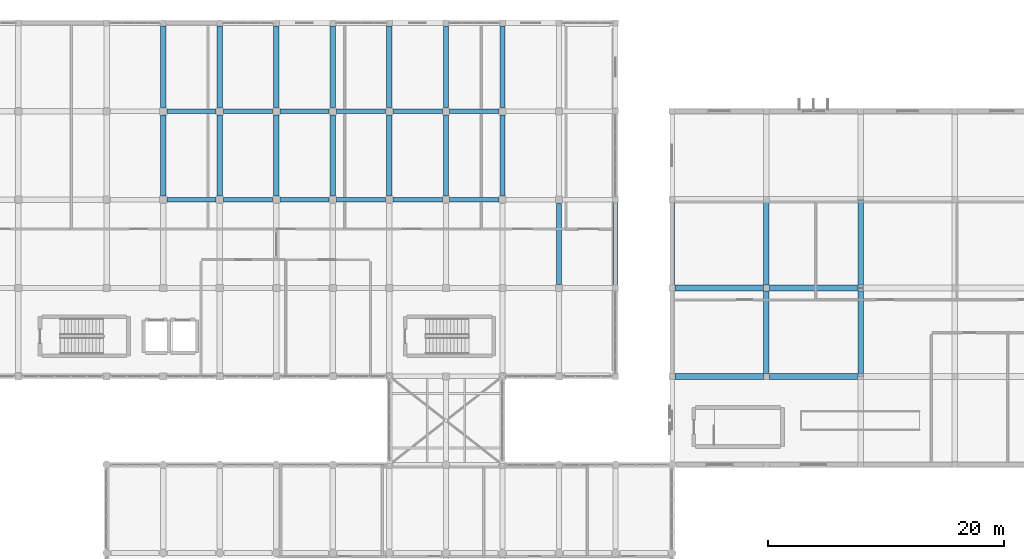
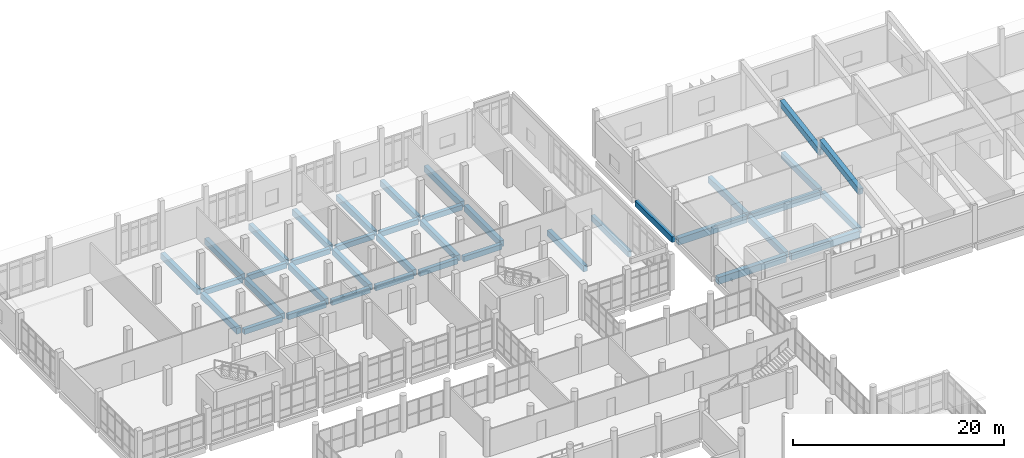
# One storey, part 99 of 164: 39 beams.
"""IFC4 building model written with IfcOpenShell, lengths in metres."""

from ifc_helpers import new_model, si_unit, direction, frame, origin, origin_2d, place, context, subcontext, project, spatial, rectangle, extrude, material, material_profile, profile_set, type_object, element, save


model = new_model("IFC4")

# Units and contexts
model_context = context("Model", 3, precision=1e-05, world=origin(), true_north=direction((0.0, 1.0)))
body_context = subcontext(model_context, "Body", "Model", "MODEL_VIEW")
ifc_project = project(units=[si_unit("LENGTHUNIT", "METRE"), si_unit("AREAUNIT", "SQUARE_METRE"), si_unit("VOLUMEUNIT", "CUBIC_METRE"), si_unit("PLANEANGLEUNIT", "RADIAN"), si_unit("MASSUNIT", "GRAM", prefix="KILO")], contexts=[model_context])

# Site, building, storey
site_placement = place(None, origin())
site = spatial("IfcSite", under=ifc_project, at=site_placement, CompositionType="ELEMENT")
building_placement = place(site_placement, origin())
building = spatial("IfcBuilding", under=site, at=building_placement, Name="Mawjan Specialist Oncology Clinic", CompositionType="ELEMENT")
storey_placement = place(building_placement, frame((0.0, 0.0, 5.0)))
storey = spatial("IfcBuildingStorey", under=building, at=storey_placement, Name="L01", CompositionType="ELEMENT", Elevation=5.0)

# Beams
ifc_material_1 = material(Name="Concrete C40/50", Category="concrete")
ifc_material_profile_1 = material_profile(ifc_material_1, rectangle(XDim=0.39990234375, YDim=0.60009765625, at=origin_2d()), Name="RC BM 400x600", Category="concrete")
ifc_profile_set_1 = profile_set([ifc_material_profile_1], Name="Concrete C40/50")
beam_type_1 = type_object("IfcBeamType", Name="BM-400x600", PredefinedType="BEAM", material=ifc_profile_set_1)
beam_1_placement = place(storey_placement, frame((65.110107421875, 98.300048828125, -0.60009765625), z_axis=(1.0, 0.0, 0.0), x_axis=(0.0, 1.0, 0.0)))
element("IfcBeam", 1, at=beam_1_placement, inside=storey, type_object=beam_type_1, Name="L01 Collector Beam BM-L01-0378", PredefinedType="BEAM", context=body_context, shape_type="SweptSolid", body=[
    extrude(rectangle(XDim=0.39990234375, YDim=0.60009765625, at=origin_2d()), origin(), (0.0, 0.0, 1.0), 4.179931640625),
])
beam_2_placement = place(storey_placement, frame((69.909912109375, 98.300048828125, -0.60009765625), z_axis=(1.0, 0.0, 0.0), x_axis=(0.0, 1.0, 0.0)))
element("IfcBeam", 2, at=beam_2_placement, inside=storey, type_object=beam_type_1, Name="L01 Collector Beam BM-L01-0379", PredefinedType="BEAM", context=body_context, shape_type="SweptSolid", body=[
    extrude(rectangle(XDim=0.39990234375, YDim=0.60009765625, at=origin_2d()), origin(), (0.0, 0.0, 1.0), 4.18017578125),
])
for number, where, z_axis, x_axis, name in (
    (3, (74.7099609375, 98.300048828125, -0.60009765625), (1.0, 0.0, 0.0), (0.0, 1.0, 0.0), "L01 Collector Beam BM-L01-0380"),
    (4, (79.510009765625, 98.300048828125, -0.60009765625), (1.0, 0.0, 0.0), (0.0, 1.0, 0.0), "L01 Collector Beam BM-L01-0381"),
    (5, (84.31005859375, 98.300048828125, -0.60009765625), (1.0, 0.0, 0.0), (0.0, 1.0, 0.0), "L01 Collector Beam BM-L01-0382"),
    (6, (89.110107421875, 98.300048828125, -0.60009765625), (1.0, 0.0, 0.0), (0.0, 1.0, 0.0), "L01 Collector Beam BM-L01-0383"),
    (7, (65.110107421875, 105.800048828125, -0.60009765625), (1.0, 0.0, 0.0), (0.0, 1.0, 0.0), "L01 Collector Beam BM-L01-0395"),
):
    element("IfcBeam", number, at=place(storey_placement, frame(where, z_axis=z_axis, x_axis=x_axis)), inside=storey, type_object=beam_type_1, Name=name, PredefinedType="BEAM", context=body_context, shape_type="SweptSolid", body=[
        extrude(rectangle(XDim=0.39990234375, YDim=0.60009765625, at=origin_2d()), origin(), (0.0, 0.0, 1.0), 4.179931640625),
    ])
beam_3_placement = place(storey_placement, frame((69.909912109375, 105.800048828125, -0.60009765625), z_axis=(1.0, 0.0, 0.0), x_axis=(0.0, 1.0, 0.0)))
element("IfcBeam", 8, at=beam_3_placement, inside=storey, type_object=beam_type_1, Name="L01 Collector Beam BM-L01-0396", PredefinedType="BEAM", context=body_context, shape_type="SweptSolid", body=[
    extrude(rectangle(XDim=0.39990234375, YDim=0.60009765625, at=origin_2d()), origin(), (0.0, 0.0, 1.0), 4.18017578125),
])
for number, where, z_axis, x_axis, name in (
    (9, (74.7099609375, 105.800048828125, -0.60009765625), (1.0, 0.0, 0.0), (0.0, 1.0, 0.0), "L01 Collector Beam BM-L01-0397"),
    (10, (79.510009765625, 105.800048828125, -0.60009765625), (1.0, 0.0, 0.0), (0.0, 1.0, 0.0), "L01 Collector Beam BM-L01-0398"),
    (11, (84.31005859375, 105.800048828125, -0.60009765625), (1.0, 0.0, 0.0), (0.0, 1.0, 0.0), "L01 Collector Beam BM-L01-0399"),
    (12, (89.110107421875, 105.800048828125, -0.60009765625), (1.0, 0.0, 0.0), (0.0, 1.0, 0.0), "L01 Collector Beam BM-L01-0400"),
):
    element("IfcBeam", number, at=place(storey_placement, frame(where, z_axis=z_axis, x_axis=x_axis)), inside=storey, type_object=beam_type_1, Name=name, PredefinedType="BEAM", context=body_context, shape_type="SweptSolid", body=[
        extrude(rectangle(XDim=0.39990234375, YDim=0.60009765625, at=origin_2d()), origin(), (0.0, 0.0, 1.0), 4.179931640625),
    ])
ifc_material_2 = material(Name="Concrete C40/50", Category="concrete")
ifc_material_profile_2 = material_profile(ifc_material_2, rectangle(XDim=0.449951171875, YDim=0.699951171875, at=origin_2d()), Name="RC BM 450x700", Category="concrete")
ifc_profile_set_2 = profile_set([ifc_material_profile_2], Name="Concrete C40/50")
beam_type_2 = type_object("IfcBeamType", Name="BM-450x700", PredefinedType="BEAM", material=ifc_profile_set_2)
beam_4_placement = place(storey_placement, frame((64.800048828125, 98.610107421875, -0.64990234375), z_axis=(0.0, 1.0, 0.0), x_axis=(-1.0, 0.0, 0.0)))
element("IfcBeam", 13, at=beam_4_placement, inside=storey, type_object=beam_type_2, Name="L01 Collector Beam BM-L01-0499", PredefinedType="BEAM", context=body_context, shape_type="SweptSolid", body=[
    extrude(rectangle(XDim=0.449951171875, YDim=0.699951171875, at=origin_2d()), origin(), (0.0, 0.0, 1.0), 6.8798828125),
])
beam_5_placement = place(storey_placement, frame((64.800048828125, 106.110107421875, -0.64990234375), z_axis=(0.0, 1.0, 0.0), x_axis=(-1.0, 0.0, 0.0)))
element("IfcBeam", 14, at=beam_5_placement, inside=storey, type_object=beam_type_2, Name="L01 Collector Beam BM-L01-0500", PredefinedType="BEAM", context=body_context, shape_type="SweptSolid", body=[
    extrude(rectangle(XDim=0.449951171875, YDim=0.699951171875, at=origin_2d()), origin(), (0.0, 0.0, 1.0), 6.929931640625),
])
beam_6_placement = place(storey_placement, frame((69.60009765625, 98.610107421875, -0.64990234375), z_axis=(0.0, 1.0, 0.0), x_axis=(-1.0, 0.0, 0.0)))
element("IfcBeam", 15, at=beam_6_placement, inside=storey, type_object=beam_type_2, Name="L01 Collector Beam BM-L01-0506", PredefinedType="BEAM", context=body_context, shape_type="SweptSolid", body=[
    extrude(rectangle(XDim=0.449951171875, YDim=0.699951171875, at=origin_2d()), origin(), (0.0, 0.0, 1.0), 6.8798828125),
])
beam_7_placement = place(storey_placement, frame((69.60009765625, 106.110107421875, -0.64990234375), z_axis=(0.0, 1.0, 0.0), x_axis=(-1.0, 0.0, 0.0)))
element("IfcBeam", 16, at=beam_7_placement, inside=storey, type_object=beam_type_2, Name="L01 Collector Beam BM-L01-0507", PredefinedType="BEAM", context=body_context, shape_type="SweptSolid", body=[
    extrude(rectangle(XDim=0.449951171875, YDim=0.699951171875, at=origin_2d()), origin(), (0.0, 0.0, 1.0), 6.929931640625),
])
beam_8_placement = place(storey_placement, frame((74.39990234375, 98.610107421875, -0.64990234375), z_axis=(0.0, 1.0, 0.0), x_axis=(-1.0, 0.0, 0.0)))
element("IfcBeam", 17, at=beam_8_placement, inside=storey, type_object=beam_type_2, Name="L01 Collector Beam BM-L01-0512", PredefinedType="BEAM", context=body_context, shape_type="SweptSolid", body=[
    extrude(rectangle(XDim=0.449951171875, YDim=0.699951171875, at=origin_2d()), origin(), (0.0, 0.0, 1.0), 6.8798828125),
])
beam_9_placement = place(storey_placement, frame((74.39990234375, 106.110107421875, -0.64990234375), z_axis=(0.0, 1.0, 0.0), x_axis=(-1.0, 0.0, 0.0)))
element("IfcBeam", 18, at=beam_9_placement, inside=storey, type_object=beam_type_2, Name="L01 Collector Beam BM-L01-0513", PredefinedType="BEAM", context=body_context, shape_type="SweptSolid", body=[
    extrude(rectangle(XDim=0.449951171875, YDim=0.699951171875, at=origin_2d()), origin(), (0.0, 0.0, 1.0), 6.929931640625),
])
beam_10_placement = place(storey_placement, frame((79.199951171875, 98.610107421875, -0.64990234375), z_axis=(0.0, 1.0, 0.0), x_axis=(-1.0, 0.0, 0.0)))
element("IfcBeam", 19, at=beam_10_placement, inside=storey, type_object=beam_type_2, Name="L01 Collector Beam BM-L01-0518", PredefinedType="BEAM", context=body_context, shape_type="SweptSolid", body=[
    extrude(rectangle(XDim=0.449951171875, YDim=0.699951171875, at=origin_2d()), origin(), (0.0, 0.0, 1.0), 6.8798828125),
])
beam_11_placement = place(storey_placement, frame((79.199951171875, 106.110107421875, -0.64990234375), z_axis=(0.0, 1.0, 0.0), x_axis=(-1.0, 0.0, 0.0)))
element("IfcBeam", 20, at=beam_11_placement, inside=storey, type_object=beam_type_2, Name="L01 Collector Beam BM-L01-0519", PredefinedType="BEAM", context=body_context, shape_type="SweptSolid", body=[
    extrude(rectangle(XDim=0.449951171875, YDim=0.699951171875, at=origin_2d()), origin(), (0.0, 0.0, 1.0), 6.929931640625),
])
beam_12_placement = place(storey_placement, frame((84.0, 98.610107421875, -0.64990234375), z_axis=(0.0, 1.0, 0.0), x_axis=(-1.0, 0.0, 0.0)))
element("IfcBeam", 21, at=beam_12_placement, inside=storey, type_object=beam_type_2, Name="L01 Collector Beam BM-L01-0525", PredefinedType="BEAM", context=body_context, shape_type="SweptSolid", body=[
    extrude(rectangle(XDim=0.449951171875, YDim=0.699951171875, at=origin_2d()), origin(), (0.0, 0.0, 1.0), 6.8798828125),
])
beam_13_placement = place(storey_placement, frame((84.0, 106.110107421875, -0.64990234375), z_axis=(0.0, 1.0, 0.0), x_axis=(-1.0, 0.0, 0.0)))
element("IfcBeam", 22, at=beam_13_placement, inside=storey, type_object=beam_type_2, Name="L01 Collector Beam BM-L01-0526", PredefinedType="BEAM", context=body_context, shape_type="SweptSolid", body=[
    extrude(rectangle(XDim=0.449951171875, YDim=0.699951171875, at=origin_2d()), origin(), (0.0, 0.0, 1.0), 6.929931640625),
])
beam_14_placement = place(storey_placement, frame((88.800048828125, 98.610107421875, -0.64990234375), z_axis=(0.0, 1.0, 0.0), x_axis=(-1.0, 0.0, 0.0)))
element("IfcBeam", 23, at=beam_14_placement, inside=storey, type_object=beam_type_2, Name="L01 Collector Beam BM-L01-0532", PredefinedType="BEAM", context=body_context, shape_type="SweptSolid", body=[
    extrude(rectangle(XDim=0.449951171875, YDim=0.699951171875, at=origin_2d()), origin(), (0.0, 0.0, 1.0), 6.8798828125),
])
beam_15_placement = place(storey_placement, frame((88.800048828125, 106.110107421875, -0.64990234375), z_axis=(0.0, 1.0, 0.0), x_axis=(-1.0, 0.0, 0.0)))
element("IfcBeam", 24, at=beam_15_placement, inside=storey, type_object=beam_type_2, Name="L01 Collector Beam BM-L01-0533", PredefinedType="BEAM", context=body_context, shape_type="SweptSolid", body=[
    extrude(rectangle(XDim=0.449951171875, YDim=0.699951171875, at=origin_2d()), origin(), (0.0, 0.0, 1.0), 6.929931640625),
])
beam_16_placement = place(storey_placement, frame((93.60009765625, 98.610107421875, -0.64990234375), z_axis=(0.0, 1.0, 0.0), x_axis=(-1.0, 0.0, 0.0)))
element("IfcBeam", 25, at=beam_16_placement, inside=storey, type_object=beam_type_2, Name="L01 Collector Beam BM-L01-0541", PredefinedType="BEAM", context=body_context, shape_type="SweptSolid", body=[
    extrude(rectangle(XDim=0.449951171875, YDim=0.699951171875, at=origin_2d()), origin(), (0.0, 0.0, 1.0), 6.8798828125),
])
beam_17_placement = place(storey_placement, frame((93.60009765625, 106.110107421875, -0.64990234375), z_axis=(0.0, 1.0, 0.0), x_axis=(-1.0, 0.0, 0.0)))
element("IfcBeam", 26, at=beam_17_placement, inside=storey, type_object=beam_type_2, Name="L01 Collector Beam BM-L01-0542", PredefinedType="BEAM", context=body_context, shape_type="SweptSolid", body=[
    extrude(rectangle(XDim=0.449951171875, YDim=0.699951171875, at=origin_2d()), origin(), (0.0, 0.0, 1.0), 6.929931640625),
])
beam_18_placement = place(storey_placement, frame((98.39990234375, 91.110107421875, -0.64990234375), z_axis=(0.0, 1.0, 0.0), x_axis=(-1.0, 0.0, 0.0)))
element("IfcBeam", 27, at=beam_18_placement, inside=storey, type_object=beam_type_2, Name="L01 Collector Beam BM-L01-0547", PredefinedType="BEAM", context=body_context, shape_type="SweptSolid", body=[
    extrude(rectangle(XDim=0.449951171875, YDim=0.699951171875, at=origin_2d()), origin(), (0.0, 0.0, 1.0), 6.8798828125),
])
for number, where, z_axis, x_axis, name in (
    (28, (116.0, 83.56005859375, -0.64990234375), (0.0, 1.0, 0.0), (-1.0, 0.0, 0.0), "L01 Collector Beam BM-L01-0565"),
    (29, (116.0, 91.06005859375, -0.64990234375), (0.0, 1.0, 0.0), (-1.0, 0.0, 0.0), "L01 Collector Beam BM-L01-0566"),
    (30, (124.0, 83.56005859375, -0.64990234375), (0.0, 1.0, 0.0), (-1.0, 0.0, 0.0), "L01 Collector Beam BM-L01-0568"),
    (31, (124.0, 91.06005859375, -0.64990234375), (0.0, 1.0, 0.0), (-1.0, 0.0, 0.0), "L01 Collector Beam BM-L01-0569"),
):
    element("IfcBeam", number, at=place(storey_placement, frame(where, z_axis=z_axis, x_axis=x_axis)), inside=storey, type_object=beam_type_2, Name=name, PredefinedType="BEAM", context=body_context, shape_type="SweptSolid", body=[
        extrude(rectangle(XDim=0.449951171875, YDim=0.699951171875, at=origin_2d()), origin(), (0.0, 0.0, 1.0), 6.97998046875),
    ])
ifc_material_3 = material(Name="Concrete C45/55", Category="concrete")
ifc_material_profile_3 = material_profile(ifc_material_3, rectangle(XDim=0.5, YDim=0.800048828125, at=origin_2d()), Name="RC BM 500x800", Category="concrete")
ifc_profile_set_3 = profile_set([ifc_material_profile_3], Name="Concrete C45/55")
beam_type_3 = type_object("IfcBeamType", Name="BM-500x800", PredefinedType="BEAM", material=ifc_profile_set_3)
for number, where, z_axis, x_axis, name in (
    (32, (108.260009765625, 83.300048828125, -0.699951171875), (1.0, 0.0, 0.0), (0.0, 1.0, 0.0), "L01 Collector Beam BM-L01-0352"),
    (33, (116.260009765625, 83.300048828125, -0.699951171875), (1.0, 0.0, 0.0), (0.0, 1.0, 0.0), "L01 Collector Beam BM-L01-0353"),
    (34, (108.260009765625, 90.800048828125, -0.699951171875), (1.0, 0.0, 0.0), (0.0, 1.0, 0.0), "L01 Collector Beam BM-L01-0369"),
    (35, (116.260009765625, 90.800048828125, -0.699951171875), (1.0, 0.0, 0.0), (0.0, 1.0, 0.0), "L01 Collector Beam BM-L01-0370"),
):
    element("IfcBeam", number, at=place(storey_placement, frame(where, z_axis=z_axis, x_axis=x_axis)), inside=storey, type_object=beam_type_3, Name=name, PredefinedType="BEAM", context=body_context, shape_type="SweptSolid", body=[
        extrude(rectangle(XDim=0.5, YDim=0.800048828125, at=origin_2d()), origin(), (0.0, 0.0, 1.0), 7.47998046875),
    ])
ifc_material_4 = material(Name="Concrete C45/55", Category="concrete")
ifc_material_profile_4 = material_profile(ifc_material_4, rectangle(XDim=0.39990234375, YDim=0.64990234375, at=origin_2d()), Name="RC BM 400x650", Category="concrete")
ifc_profile_set_4 = profile_set([ifc_material_profile_4], Name="Concrete C45/55")
beam_type_4 = type_object("IfcBeamType", Name="SP-400x650", PredefinedType="SPANDREL", material=ifc_profile_set_4)
for number, where, z_axis, x_axis, name in (
    (36, (103.199951171875, 91.06005859375, -0.625), (0.0, 1.0, 0.0), (-1.0, 0.0, 0.0), "L01 Spandrel Beam BM-L01-0554"),
    (37, (108.0, 91.06005859375, -0.625), (0.0, 1.0, 0.0), (-1.0, 0.0, 0.0), "L01 Spandrel Beam BM-L01-0563"),
):
    element("IfcBeam", number, at=place(storey_placement, frame(where, z_axis=z_axis, x_axis=x_axis)), inside=storey, type_object=beam_type_4, Name=name, PredefinedType="SPANDREL", context=body_context, shape_type="SweptSolid", body=[
        extrude(rectangle(XDim=0.39990234375, YDim=0.64990234375, at=origin_2d()), origin(), (0.0, 0.0, 1.0), 6.97998046875),
    ])
ifc_material_5 = material(Name="Precast concrete C45/55", Category="concrete")
ifc_material_profile_5 = material_profile(ifc_material_5, rectangle(XDim=0.47998046875, YDim=0.719970703125, at=origin_2d()), Name="RC TBM 480x720", Category="concrete")
ifc_profile_set_5 = profile_set([ifc_material_profile_5], Name="Precast concrete C45/55")
beam_type_5 = type_object("IfcBeamType", Name="TBM-SAW", PredefinedType="T_BEAM", material=ifc_profile_set_5)
for number, where, z_axis, x_axis, name in (
    (38, (124.0, 83.300048828125, 4.030029296875), (0.0, 0.987441634807, 0.157984232913), (-1.0, 0.0, 0.0), "Sawtooth Precast T-Beam 2-124"),
    (39, (124.0, 90.800048828125, 4.030029296875), (0.0, 0.987441634807, 0.157984232913), (-1.0, 0.0, 0.0), "Sawtooth Precast T-Beam 3-124"),
):
    element("IfcBeam", number, at=place(storey_placement, frame(where, z_axis=z_axis, x_axis=x_axis)), inside=storey, type_object=beam_type_5, Name=name, PredefinedType="T_BEAM", context=body_context, shape_type="SweptSolid", body=[
        extrude(rectangle(XDim=0.47998046875, YDim=0.719970703125, at=origin_2d()), origin(), (0.0, 0.0, 1.0), 7.595458984375),
    ])

save(model, "model.ifc")
